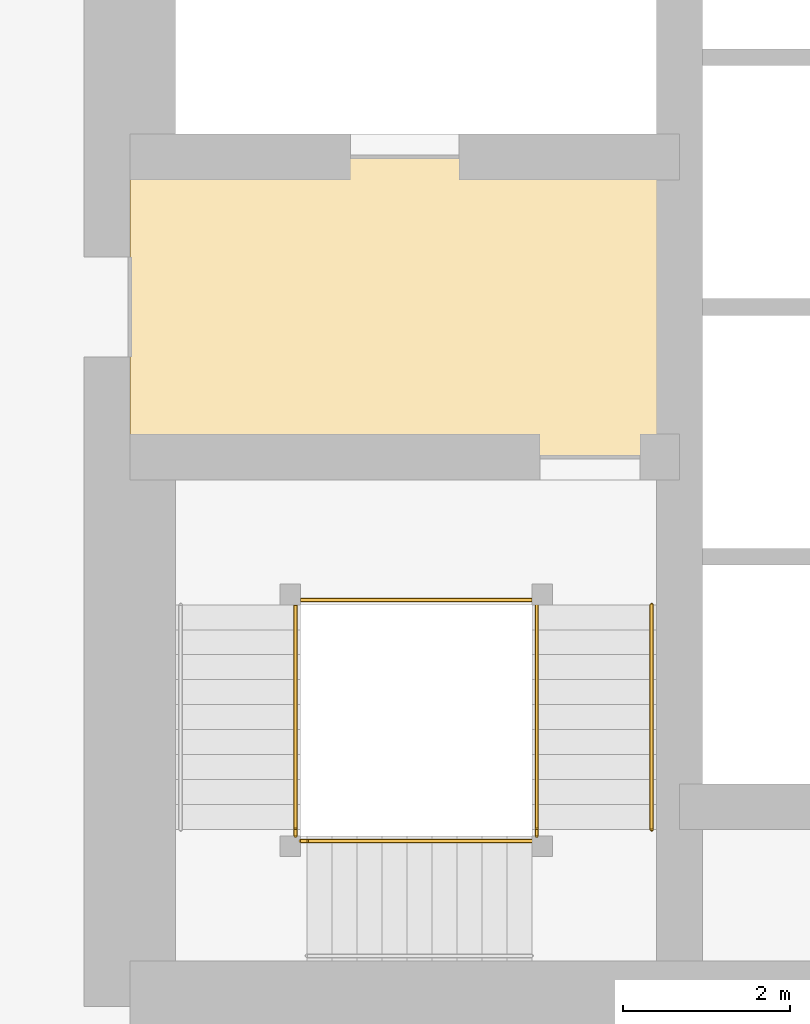
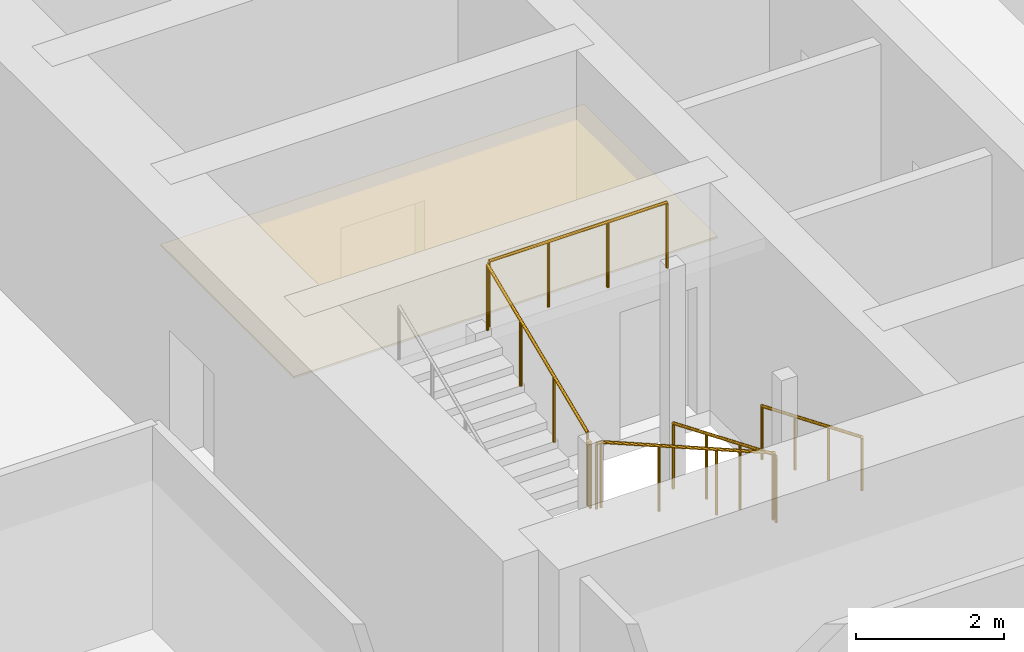
# One storey, part 35 of 42: 8 railings, 1 covering.
"""IFC4 building model written with IfcOpenShell, lengths in metres."""

from ifc_helpers import new_model, si_unit, direction, frame, origin, origin_2d, place, context, subcontext, project, spatial, polyline, circle, outline, extrude, material, layer, layer_set, type_object, element, save


model = new_model("IFC4")

# Units and contexts
model_context = context("Model", 3, precision=1e-05, world=origin(), true_north=direction((0.0, 1.0)))
body_context = subcontext(model_context, "Body", "Model", "MODEL_VIEW")
ifc_project = project(units=[si_unit("LENGTHUNIT", "METRE"), si_unit("AREAUNIT", "SQUARE_METRE"), si_unit("VOLUMEUNIT", "CUBIC_METRE"), si_unit("PLANEANGLEUNIT", "RADIAN"), si_unit("MASSUNIT", "GRAM", prefix="KILO")], contexts=[model_context])

# Site, building, storey
site_placement = place(None, origin())
site = spatial("IfcSite", under=ifc_project, at=site_placement, CompositionType="ELEMENT")
building_placement = place(site_placement, origin())
building = spatial("IfcBuilding", under=site, at=building_placement, Name="Rekha Terrace Tower", CompositionType="ELEMENT")
storey_placement = place(building_placement, frame((0.0, 0.0, 40.39990234375)))
storey = spatial("IfcBuildingStorey", under=building, at=storey_placement, Name="L09", CompositionType="ELEMENT", Elevation=40.39990234375)

# Covering
ifc_material_1 = material(Name="Powder-coated aluminium pan", Category="aluminium")
ifc_layer = layer(ifc_material_1, 0.030029296875)
ifc_layer_set = layer_set([ifc_layer], Name="Powder-coated aluminium pan")
covering_type = type_object("IfcCoveringType", Name="CL3 300x1200 metal pan ceiling", PredefinedType="CEILING", material=ifc_layer_set)
covering_placement = place(storey_placement, frame((0.0, 0.0, 2.570068359375)))
element("IfcCovering", 1, at=covering_placement, inside=storey, type_object=covering_type, Name="Ceiling L09-FLB1", PredefinedType="CEILING", context=body_context, shape_type="SweptSolid", body=[
    extrude(outline(polyline([(31.800048828125, 31.199951171875), (25.199951171875, 31.199951171875), (25.199951171875, 27.60009765625), (31.800048828125, 27.60009765625), (31.800048828125, 31.199951171875)])), origin(), (0.0, 0.0, 1.0), 0.030029296875),
])

# Railings
ifc_material_2 = material(Name="Stainless steel balustrade", Category="steel")
railing_type_1 = type_object("IfcRailingType", Name="GR1 1100 stair guard", PredefinedType="GUARDRAIL", material=ifc_material_2)
railing_1_placement = place(storey_placement, frame((30.0849609375, 25.824951171875, 0.125)))
element("IfcRailing", 2, at=railing_1_placement, inside=storey, type_object=railing_type_1, Name="Guard ST1 L09 flight 1", PredefinedType="GUARDRAIL", context=body_context, shape_type="SweptSolid", body=[
    extrude(circle(Radius=0.02392578125, at=origin_2d()), frame((0.0, 0.0, 1.076171875), z_axis=(0.0, -0.923074453586, 0.384621311341), x_axis=(1.0, 0.0, 0.0)), (0.0, 0.0, 1.0), 2.925048828125),
    extrude(circle(Radius=0.02099609375, at=origin_2d()), origin(), (0.0, 0.0, 1.0), 1.052001953125),
    extrude(circle(Radius=0.02099609375, at=origin_2d()), frame((0.0, -0.89990234375, 0.375)), (0.0, 0.0, 1.0), 1.052001953125),
    extrude(circle(Radius=0.02099609375, at=origin_2d()), frame((0.0, -1.800048828125, 0.75)), (0.0, 0.0, 1.0), 1.052001953125),
    extrude(circle(Radius=0.02099609375, at=origin_2d()), frame((0.0, -2.699951171875, 1.125)), (0.0, 0.0, 1.0), 1.052001953125),
])
railing_2_placement = place(storey_placement, frame((30.02490234375, 22.989990234375, 1.375)))
element("IfcRailing", 3, at=railing_2_placement, inside=storey, type_object=railing_type_1, Name="Guard ST1 L09 flight 2", PredefinedType="GUARDRAIL", context=body_context, shape_type="SweptSolid", body=[
    extrude(circle(Radius=0.02392578125, at=origin_2d()), frame((0.0, 0.0, 1.076171875), z_axis=(-0.923074453586, 0.0, 0.384621311341), x_axis=(0.0, -1.0, 0.0)), (0.0, 0.0, 1.0), 2.925048828125),
    extrude(circle(Radius=0.02099609375, at=origin_2d()), origin(), (0.0, 0.0, 1.0), 1.052001953125),
    extrude(circle(Radius=0.02099609375, at=origin_2d()), frame((-0.89990234375, 0.0, 0.375)), (0.0, 0.0, 1.0), 1.052001953125),
    extrude(circle(Radius=0.02099609375, at=origin_2d()), frame((-1.800048828125, 0.0, 0.75)), (0.0, 0.0, 1.0), 1.052001953125),
    extrude(circle(Radius=0.02099609375, at=origin_2d()), frame((-2.699951171875, 0.0, 1.125)), (0.0, 0.0, 1.0), 1.052001953125),
])
railing_3_placement = place(storey_placement, frame((27.18994140625, 23.125, 2.625)))
element("IfcRailing", 4, at=railing_3_placement, inside=storey, type_object=railing_type_1, Name="Guard ST1 L09 flight 3", PredefinedType="GUARDRAIL", context=body_context, shape_type="SweptSolid", body=[
    extrude(circle(Radius=0.02392578125, at=origin_2d()), frame((0.0, 0.0, 1.076171875), z_axis=(0.0, 0.923074453586, 0.384621311341), x_axis=(-1.0, 0.0, 0.0)), (0.0, 0.0, 1.0), 2.925048828125),
    extrude(circle(Radius=0.02099609375, at=origin_2d()), origin(), (0.0, 0.0, 1.0), 1.052001953125),
    extrude(circle(Radius=0.02099609375, at=origin_2d()), frame((0.0, 0.89990234375, 0.375)), (0.0, 0.0, 1.0), 1.052001953125),
    extrude(circle(Radius=0.02099609375, at=origin_2d()), frame((0.0, 1.800048828125, 0.75)), (0.0, 0.0, 1.0), 1.052001953125),
    extrude(circle(Radius=0.02099609375, at=origin_2d()), frame((0.0, 2.699951171875, 1.125)), (0.0, 0.0, 1.0), 1.052001953125),
])
railing_4_placement = place(storey_placement, frame((30.0849609375, 23.125, 1.25)))
element("IfcRailing", 5, at=railing_4_placement, inside=storey, type_object=railing_type_1, Name="Guard ST1 L09 landing 1", PredefinedType="GUARDRAIL", context=body_context, shape_type="SweptSolid", body=[
    extrude(circle(Radius=0.02392578125, at=origin_2d()), frame((0.0, 0.0, 1.076171875), z_axis=(0.0, -1.0, 0.0), x_axis=(1.0, 0.0, 0.0)), (0.0, 0.0, 1.0), 0.074951171875),
    extrude(circle(Radius=0.02099609375, at=origin_2d()), origin(), (0.0, 0.0, 1.0), 1.052001953125),
    extrude(circle(Radius=0.02099609375, at=origin_2d()), frame((0.0, -0.074951171875, 0.0)), (0.0, 0.0, 1.0), 1.052001953125),
])
railing_5_placement = place(storey_placement, frame((27.324951171875, 22.989990234375, 2.5)))
element("IfcRailing", 6, at=railing_5_placement, inside=storey, type_object=railing_type_1, Name="Guard ST1 L09 landing 2", PredefinedType="GUARDRAIL", context=body_context, shape_type="SweptSolid", body=[
    extrude(circle(Radius=0.02392578125, at=origin_2d()), frame((0.0, 0.0, 1.076171875), z_axis=(-1.0, 0.0, 0.0), x_axis=(0.0, -1.0, 0.0)), (0.0, 0.0, 1.0), 0.074951171875),
    extrude(circle(Radius=0.02099609375, at=origin_2d()), origin(), (0.0, 0.0, 1.0), 1.052001953125),
    extrude(circle(Radius=0.02099609375, at=origin_2d()), frame((-0.074951171875, 0.0, 0.0)), (0.0, 0.0, 1.0), 1.052001953125),
])
railing_6_placement = place(storey_placement, frame((27.18994140625, 23.125, 2.5)))
element("IfcRailing", 7, at=railing_6_placement, inside=storey, type_object=railing_type_1, Name="Guard ST1 L09 landing 3", PredefinedType="GUARDRAIL", context=body_context, shape_type="SweptSolid", body=[
    extrude(circle(Radius=0.02392578125, at=origin_2d()), frame((0.0, 0.0, 1.076171875), z_axis=(0.0, -1.0, 0.0), x_axis=(1.0, 0.0, 0.0)), (0.0, 0.0, 1.0), 0.074951171875),
    extrude(circle(Radius=0.02099609375, at=origin_2d()), origin(), (0.0, 0.0, 1.0), 1.052001953125),
    extrude(circle(Radius=0.02099609375, at=origin_2d()), frame((0.0, -0.074951171875, 0.0)), (0.0, 0.0, 1.0), 1.052001953125),
])
railing_7_placement = place(storey_placement, frame((30.02490234375, 25.885009765625, 3.75)))
element("IfcRailing", 8, at=railing_7_placement, inside=storey, type_object=railing_type_1, Name="Guard ST1 L09 landing 4", PredefinedType="GUARDRAIL", context=body_context, shape_type="SweptSolid", body=[
    extrude(circle(Radius=0.02392578125, at=origin_2d()), frame((0.0, 0.0, 1.076171875), z_axis=(-1.0, 0.0, 0.0), x_axis=(0.0, -1.0, 0.0)), (0.0, 0.0, 1.0), 2.77490234375),
    extrude(circle(Radius=0.02099609375, at=origin_2d()), origin(), (0.0, 0.0, 1.0), 1.052001953125),
    extrude(circle(Radius=0.02099609375, at=origin_2d()), frame((-0.925048828125, 0.0, 0.0)), (0.0, 0.0, 1.0), 1.052001953125),
    extrude(circle(Radius=0.02099609375, at=origin_2d()), frame((-1.849853515625, 0.0, 0.0)), (0.0, 0.0, 1.0), 1.052001953125),
    extrude(circle(Radius=0.02099609375, at=origin_2d()), frame((-2.77490234375, 0.0, 0.0)), (0.0, 0.0, 1.0), 1.052001953125),
])
ifc_material_3 = material(Name="Stainless steel tube", Category="steel")
railing_type_2 = type_object("IfcRailingType", Name="HR1 900 stair handrail", PredefinedType="HANDRAIL", material=ifc_material_3)
railing_8_placement = place(storey_placement, frame((31.465087890625, 25.824951171875, 0.125)))
element("IfcRailing", 9, at=railing_8_placement, inside=storey, type_object=railing_type_2, Name="Handrail ST1 L09 flight 1", PredefinedType="HANDRAIL", context=body_context, shape_type="SweptSolid", body=[
    extrude(circle(Radius=0.02392578125, at=origin_2d()), frame((0.0, 0.0, 0.8759765625), z_axis=(0.0, -0.923074453586, 0.384621311341), x_axis=(1.0, 0.0, 0.0)), (0.0, 0.0, 1.0), 2.925048828125),
    extrude(circle(Radius=0.02099609375, at=origin_2d()), origin(), (0.0, 0.0, 1.0), 0.851806640625),
    extrude(circle(Radius=0.02099609375, at=origin_2d()), frame((0.0, -0.89990234375, 0.375)), (0.0, 0.0, 1.0), 0.851806640625),
    extrude(circle(Radius=0.02099609375, at=origin_2d()), frame((0.0, -1.800048828125, 0.75)), (0.0, 0.0, 1.0), 0.851806640625),
    extrude(circle(Radius=0.02099609375, at=origin_2d()), frame((0.0, -2.699951171875, 1.125)), (0.0, 0.0, 1.0), 0.851806640625),
])

save(model, "model.ifc")
